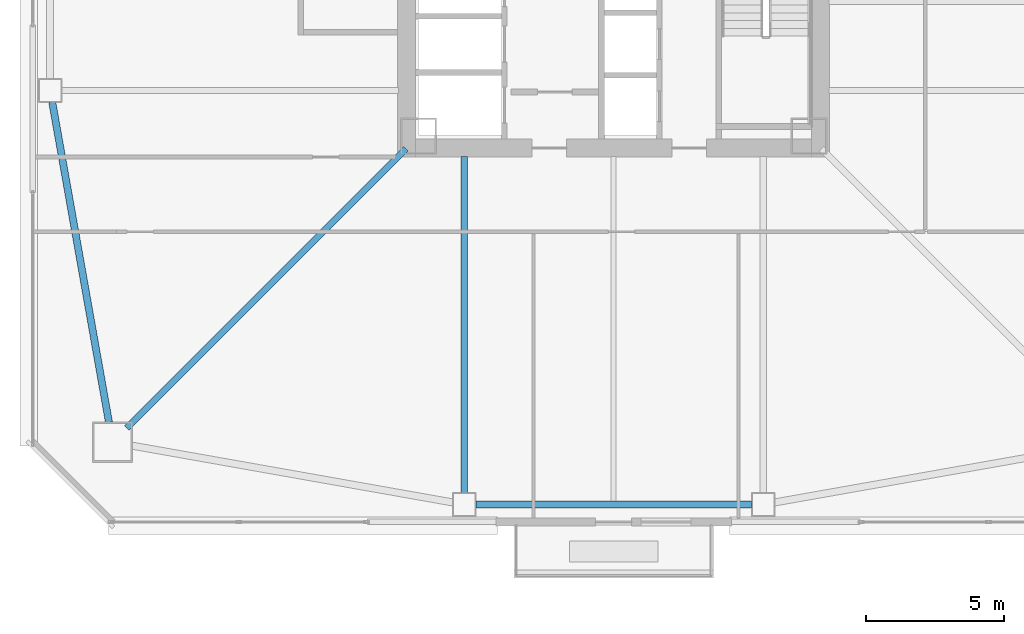
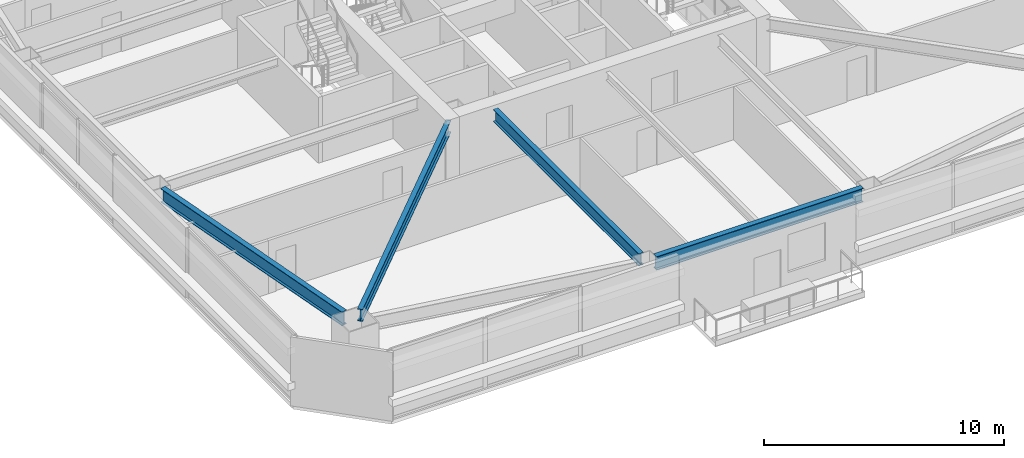
# One storey, part 4 of 44: 4 beams.
"""IFC4 building model written with IfcOpenShell, lengths in metres."""

from ifc_helpers import new_model, si_unit, direction, frame, origin, origin_2d, place, context, subcontext, project, spatial, i_section, extrude, material, material_profile, profile_set, type_object, element, save


model = new_model("IFC4")

# Units and contexts
model_context = context("Model", 3, precision=1e-05, world=origin(), true_north=direction((0.0, 1.0)))
body_context = subcontext(model_context, "Body", "Model", "MODEL_VIEW")
ifc_project = project(units=[si_unit("LENGTHUNIT", "METRE"), si_unit("AREAUNIT", "SQUARE_METRE"), si_unit("VOLUMEUNIT", "CUBIC_METRE"), si_unit("PLANEANGLEUNIT", "RADIAN"), si_unit("MASSUNIT", "GRAM", prefix="KILO")], contexts=[model_context])

# Site, building, storey
site_placement = place(None, origin())
site = spatial("IfcSite", under=ifc_project, at=site_placement, CompositionType="ELEMENT")
building_placement = place(site_placement, origin())
building = spatial("IfcBuilding", under=site, at=building_placement, Name="Tashvorn Skyway Center", CompositionType="ELEMENT")
storey_placement = place(building_placement, frame((0.0, 0.0, 95.60009765625)))
storey = spatial("IfcBuildingStorey", under=building, at=storey_placement, Name="L25", CompositionType="ELEMENT", Elevation=95.60009765625)

# Beams
ifc_material = material(Name="Steel ASTM A992 Grade 50", Category="steel")
ifc_material_profile_1 = material_profile(ifc_material, i_section(OverallWidth=0.22998046875, OverallDepth=0.616943359375, WebThickness=0.01318359375, FlangeThickness=0.022216796875, at=origin_2d()), Name="W24X94")
ifc_profile_set_1 = profile_set([ifc_material_profile_1], Name="Steel ASTM A992 Grade 50")
beam_type_1 = type_object("IfcBeamType", Name="BM-BEAM-W24X94", PredefinedType="BEAM", material=ifc_profile_set_1)
beam_1_placement = place(storey_placement, frame((24.4091796875, 14.4091796875, 3.04150390625), z_axis=(0.707106781187, 0.707106781187, 0.0), x_axis=(-0.707106781187, 0.707106781187, 0.0)))
element("IfcBeam", 1, at=beam_1_placement, inside=storey, type_object=beam_type_1, Name="Tower 1 L25 Primary Floor Girder MC-SW", PredefinedType="BEAM", context=body_context, shape_type="SweptSolid", body=[
    extrude(i_section(OverallWidth=0.22998046875, OverallDepth=0.616943359375, WebThickness=0.01318359375, FlangeThickness=0.022216796875, at=origin_2d()), origin(), (0.0, 0.0, 1.0), 14.261962890625),
])
beam_2_placement = place(storey_placement, frame((36.60009765625, 12.070068359375, 3.04150390625), z_axis=(0.0, 1.0, 0.0), x_axis=(-1.0, 0.0, 0.0)))
element("IfcBeam", 2, at=beam_2_placement, inside=storey, type_object=beam_type_1, Name="Tower 1 L25 Primary Floor Girder FC-S1", PredefinedType="BEAM", context=body_context, shape_type="SweptSolid", body=[
    extrude(i_section(OverallWidth=0.22998046875, OverallDepth=0.616943359375, WebThickness=0.01318359375, FlangeThickness=0.022216796875, at=origin_2d()), origin(), (0.0, 0.0, 1.0), 12.14990234375),
])
ifc_material_profile_2 = material_profile(ifc_material, i_section(OverallWidth=0.256103515625, OverallDepth=0.693115234375, WebThickness=0.014404296875, FlangeThickness=0.023681640625, at=origin_2d()), Name="W27X114")
ifc_profile_set_2 = profile_set([ifc_material_profile_2], Name="Steel ASTM A992 Grade 50")
beam_type_2 = type_object("IfcBeamType", Name="BM-SPANDREL-W27X114", PredefinedType="SPANDREL", material=ifc_profile_set_2)
beam_3_placement = place(storey_placement, frame((37.02001953125, 11.64990234375, 3.00341796875), z_axis=(1.0, 0.0, 0.0), x_axis=(0.0, 1.0, 0.0)))
element("IfcBeam", 3, at=beam_3_placement, inside=storey, type_object=beam_type_2, Name="Tower 1 L25 Spandrel Beam 02", PredefinedType="SPANDREL", context=body_context, shape_type="SweptSolid", body=[
    extrude(i_section(OverallWidth=0.256103515625, OverallDepth=0.693115234375, WebThickness=0.014404296875, FlangeThickness=0.023681640625, at=origin_2d()), origin(), (0.0, 0.0, 1.0), 9.9599609375),
])
beam_4_placement = place(storey_placement, frame((21.723388671875, 26.1865234375, 3.00341796875), z_axis=(0.174437966698, -0.98466816531, 0.0), x_axis=(0.98466816531, 0.174437966698, 0.0)))
element("IfcBeam", 4, at=beam_4_placement, inside=storey, type_object=beam_type_2, Name="Tower 1 L25 Spandrel Beam 12", PredefinedType="SPANDREL", context=body_context, shape_type="SweptSolid", body=[
    extrude(i_section(OverallWidth=0.256103515625, OverallDepth=0.693115234375, WebThickness=0.014404296875, FlangeThickness=0.023681640625, at=origin_2d()), origin(), (0.0, 0.0, 1.0), 11.7578125),
])

save(model, "model.ifc")
